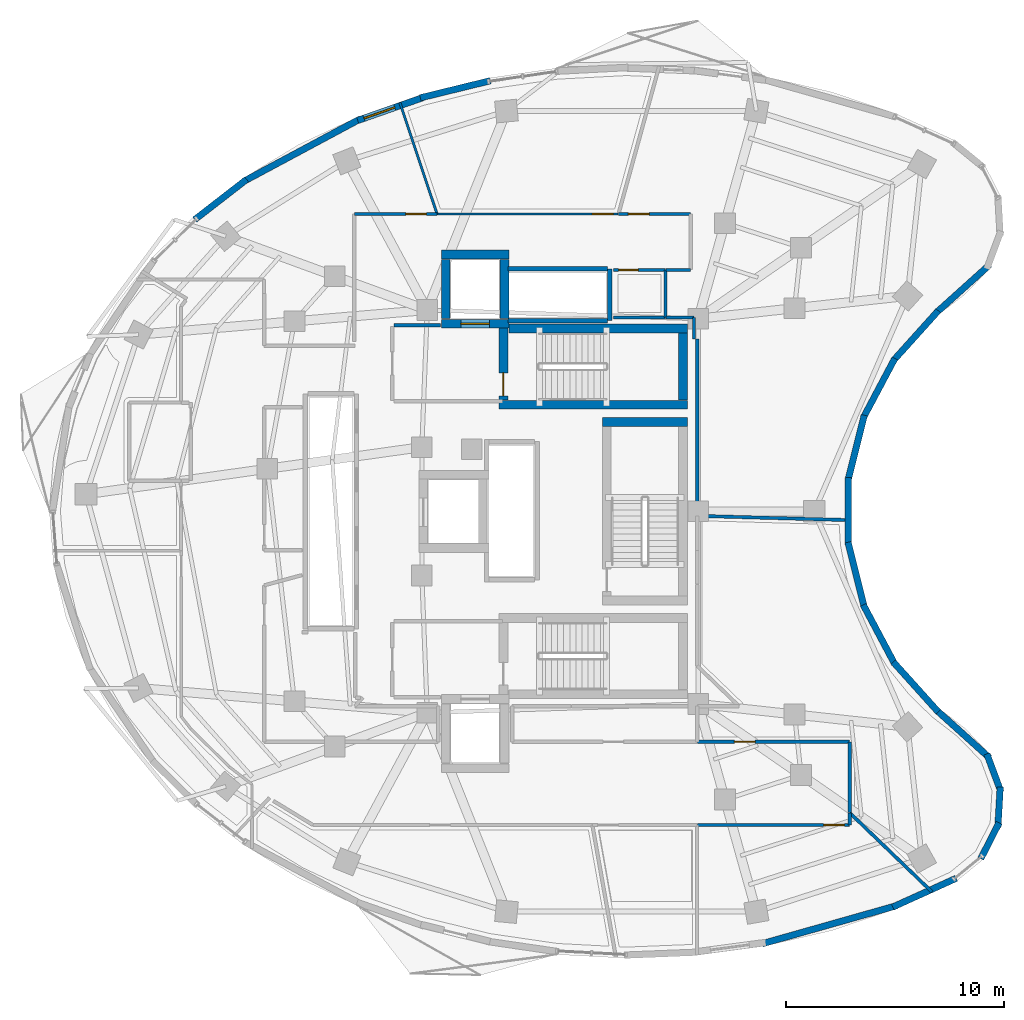
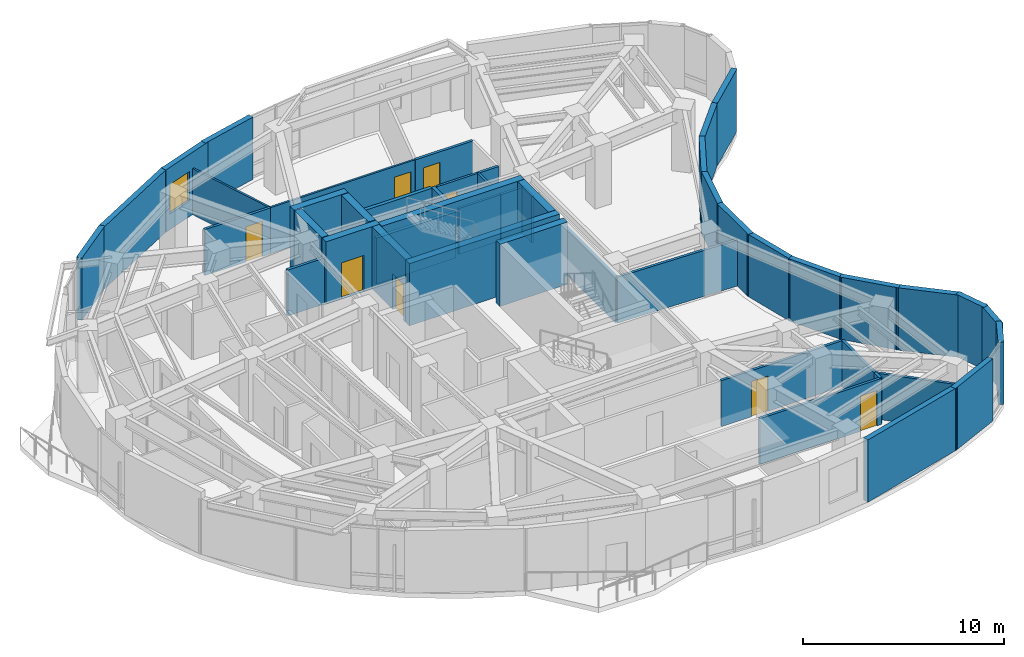
# One storey, part 9 of 13: 48 walls, 8 doors, 1 window, 9 openings.
"""IFC4 building model written with IfcOpenShell, lengths in metres."""

from ifc_helpers import new_model, si_unit, direction, frame, frame_2d, origin, place, context, subcontext, project, spatial, rectangle, extrude, material, layer, layer_set, type_object, element, fill, save


model = new_model("IFC4")

# Units and contexts
model_context = context("Model", 3, precision=1e-05, world=origin(), true_north=direction((0.0, 1.0)))
body_context = subcontext(model_context, "Body", "Model", "MODEL_VIEW")
ifc_project = project(units=[si_unit("LENGTHUNIT", "METRE"), si_unit("AREAUNIT", "SQUARE_METRE"), si_unit("VOLUMEUNIT", "CUBIC_METRE"), si_unit("PLANEANGLEUNIT", "RADIAN"), si_unit("MASSUNIT", "GRAM", prefix="KILO")], contexts=[model_context])

# Site, building, storey
site_placement = place(None, origin())
site = spatial("IfcSite", under=ifc_project, at=site_placement, CompositionType="ELEMENT")
building_placement = place(site_placement, origin())
building = spatial("IfcBuilding", under=site, at=building_placement, Name="Korentha Bioscience Tower", CompositionType="ELEMENT")
storey_placement = place(building_placement, frame((0.0, 0.0, 162.60009765625)))
storey = spatial("IfcBuildingStorey", under=building, at=storey_placement, Name="L37", CompositionType="ELEMENT", Elevation=162.60009765625)

# Wall, opening, door
ifc_material_1 = material(Name="Double-Stud Acoustic Gypsum", Category="gypsum")
ifc_layer_1 = layer(ifc_material_1, 0.14990234375, Name="Double-Stud Acoustic Gypsum")
ifc_layer_set_1 = layer_set([ifc_layer_1], Name="Double-Stud Acoustic Gypsum (IW-L150)")
wall_type_1 = type_object("IfcWallType", Name="Acoustic Laboratory Partition Wall 150", PredefinedType="PARTITIONING", material=ifc_layer_set_1)
wall_1_placement = place(storey_placement, frame((37.508056640625, 12.590087890625, 0.0), z_axis=(0.0, 0.0, 1.0), x_axis=(1.0, 0.0, 0.0)))
wall_1 = element("IfcWall", 1, at=wall_1_placement, inside=storey, type_object=wall_type_1, Name="L37 Fluorescence Confocal Microscopy Room 06 Entrance Wall", PredefinedType="PARTITIONING", context=body_context, shape_type="SweptSolid", body=[
    extrude(rectangle(XDim=6.991943359375, YDim=0.14990234375, at=frame_2d((3.49609375, 0.0))), origin(), (0.0, 0.0, 1.0), 2.7998046875),
])
opening_1_placement = place(wall_1_placement, frame((5.802001953125, 0.0, 0.0)))
opening_1 = element("IfcOpeningElement", 2, at=opening_1_placement, cuts=wall_1, Name="Opening ID-10L", PredefinedType="OPENING", context=body_context, shape_type="SweptSolid", body=[
    extrude(rectangle(XDim=0.949951171875, YDim=2.14990234375, at=frame_2d((0.47509765625, 1.074951171875))), frame((0.0, 0.08984375, 0.0), z_axis=(0.0, -1.0, 0.0), x_axis=(1.0, 0.0, 0.0)), (0.0, 0.0, 1.0), 0.1796875),
])
ifc_material_2 = material(Name="Phenolic Laminate Timber Core", Category="wood")
door_type_1 = type_object("IfcDoorType", Name="Laboratory Single Leaf Door 950x2150 Left", OperationType="SINGLE_SWING_LEFT", PredefinedType="DOOR", material=ifc_material_2)
door_1_placement = place(opening_1_placement, origin())
door_1 = element("IfcDoor", 3, at=door_1_placement, inside=storey, type_object=door_type_1, Name="L37 Fluorescence Confocal Microscopy Room 06 Door", OperationType="SINGLE_SWING_LEFT", OverallHeight=2.14990234375, OverallWidth=0.949951171875, PredefinedType="DOOR", context=body_context, shape_type="SweptSolid", body=[
    extrude(rectangle(XDim=0.949951171875, YDim=2.14990234375, at=frame_2d((0.47509765625, 1.074951171875))), frame((0.0, 0.02490234375, 0.0), z_axis=(0.0, -1.0, 0.0), x_axis=(1.0, 0.0, 0.0)), (0.0, 0.0, 1.0), 0.050048828125),
])
fill(opening_1, door_1)

wall_2_placement = place(storey_placement, frame((44.5, 16.409912109375, 0.0), z_axis=(0.0, 0.0, 1.0), x_axis=(-1.0, 0.0, 0.0)))
wall_2 = element("IfcWall", 4, at=wall_2_placement, inside=storey, type_object=wall_type_1, Name="L37 Incubator and Bioreactor Suite 07 Entrance Wall", PredefinedType="PARTITIONING", context=body_context, shape_type="SweptSolid", body=[
    extrude(rectangle(XDim=6.991943359375, YDim=0.14990234375, at=frame_2d((3.49609375, 0.0))), origin(), (0.0, 0.0, 1.0), 2.7998046875),
])
opening_2_placement = place(wall_2_placement, frame((4.334228515625, 0.0, 0.0)))
opening_2 = element("IfcOpeningElement", 5, at=opening_2_placement, cuts=wall_2, Name="Opening ID-10R", PredefinedType="OPENING", context=body_context, shape_type="SweptSolid", body=[
    extrude(rectangle(XDim=0.949951171875, YDim=2.14990234375, at=frame_2d((0.47509765625, 1.074951171875))), frame((0.0, 0.08984375, 0.0), z_axis=(0.0, -1.0, 0.0), x_axis=(1.0, 0.0, 0.0)), (0.0, 0.0, 1.0), 0.1796875),
])
door_type_2 = type_object("IfcDoorType", Name="Laboratory Single Leaf Door 950x2150 Right", OperationType="SINGLE_SWING_RIGHT", PredefinedType="DOOR", material=ifc_material_2)
door_2_placement = place(opening_2_placement, origin())
door_2 = element("IfcDoor", 6, at=door_2_placement, inside=storey, type_object=door_type_2, Name="L37 Incubator and Bioreactor Suite 07 Door", OperationType="SINGLE_SWING_RIGHT", OverallHeight=2.14990234375, OverallWidth=0.949951171875, PredefinedType="DOOR", context=body_context, shape_type="SweptSolid", body=[
    extrude(rectangle(XDim=0.949951171875, YDim=2.14990234375, at=frame_2d((0.47509765625, 1.074951171875))), frame((0.0, 0.02490234375, 0.0), z_axis=(0.0, -1.0, 0.0), x_axis=(1.0, 0.0, 0.0)), (0.0, 0.0, 1.0), 0.050048828125),
])
fill(opening_2, door_2)

wall_3_placement = place(storey_placement, frame((37.199951171875, 40.659912109375, 0.0), z_axis=(0.0, 0.0, 1.0), x_axis=(-1.0, 0.0, 0.0)))
wall_3 = element("IfcWall", 7, at=wall_3_placement, inside=storey, type_object=wall_type_1, Name="L37 Translational Medicine Team Office 08 Entrance Wall", PredefinedType="PARTITIONING", context=body_context, shape_type="SweptSolid", body=[
    extrude(rectangle(XDim=3.31494140625, YDim=0.14990234375, at=frame_2d((1.657470703125, 0.0))), origin(), (0.0, 0.0, 1.0), 2.7998046875),
])
opening_3_placement = place(wall_3_placement, frame((1.906982421875, 0.0, 0.0)))
opening_3 = element("IfcOpeningElement", 8, at=opening_3_placement, cuts=wall_3, Name="Opening ID-10L", PredefinedType="OPENING", context=body_context, shape_type="SweptSolid", body=[
    extrude(rectangle(XDim=0.949951171875, YDim=2.14990234375, at=frame_2d((0.47509765625, 1.074951171875))), frame((0.0, 0.08984375, 0.0), z_axis=(0.0, -1.0, 0.0), x_axis=(1.0, 0.0, 0.0)), (0.0, 0.0, 1.0), 0.1796875),
])
door_3_placement = place(opening_3_placement, origin())
door_3 = element("IfcDoor", 9, at=door_3_placement, inside=storey, type_object=door_type_1, Name="L37 Translational Medicine Team Office 08 Door", OperationType="SINGLE_SWING_LEFT", OverallHeight=2.14990234375, OverallWidth=0.949951171875, PredefinedType="DOOR", context=body_context, shape_type="SweptSolid", body=[
    extrude(rectangle(XDim=0.949951171875, YDim=2.14990234375, at=frame_2d((0.47509765625, 1.074951171875))), frame((0.0, 0.02490234375, 0.0), z_axis=(0.0, -1.0, 0.0), x_axis=(1.0, 0.0, 0.0)), (0.0, 0.0, 1.0), 0.050048828125),
])
fill(opening_3, door_3)

wall_4_placement = place(storey_placement, frame((25.54150390625, 40.659912109375, 0.0), z_axis=(0.0, 0.0, 1.0), x_axis=(-1.0, 0.0, 0.0)))
wall_4 = element("IfcWall", 10, at=wall_4_placement, inside=storey, type_object=wall_type_1, Name="L37 Clinical Advisory Boardroom 10 Entrance Wall", PredefinedType="PARTITIONING", context=body_context, shape_type="SweptSolid", body=[
    extrude(rectangle(XDim=3.79150390625, YDim=0.14990234375, at=frame_2d((1.895751953125, 0.0))), origin(), (0.0, 0.0, 1.0), 2.7998046875),
])
opening_4_placement = place(wall_4_placement, frame((0.477783203125, 0.0, 0.0)))
opening_4 = element("IfcOpeningElement", 11, at=opening_4_placement, cuts=wall_4, Name="Opening ID-10L", PredefinedType="OPENING", context=body_context, shape_type="SweptSolid", body=[
    extrude(rectangle(XDim=0.949951171875, YDim=2.14990234375, at=frame_2d((0.47509765625, 1.074951171875))), frame((0.0, 0.08984375, 0.0), z_axis=(0.0, -1.0, 0.0), x_axis=(1.0, 0.0, 0.0)), (0.0, 0.0, 1.0), 0.1796875),
])
door_4_placement = place(opening_4_placement, origin())
door_4 = element("IfcDoor", 12, at=door_4_placement, inside=storey, type_object=door_type_1, Name="L37 Clinical Advisory Boardroom 10 Door", OperationType="SINGLE_SWING_LEFT", OverallHeight=2.14990234375, OverallWidth=0.949951171875, PredefinedType="DOOR", context=body_context, shape_type="SweptSolid", body=[
    extrude(rectangle(XDim=0.949951171875, YDim=2.14990234375, at=frame_2d((0.47509765625, 1.074951171875))), frame((0.0, 0.02490234375, 0.0), z_axis=(0.0, -1.0, 0.0), x_axis=(1.0, 0.0, 0.0)), (0.0, 0.0, 1.0), 0.050048828125),
])
fill(opening_4, door_4)

# Walls
wall_5_placement = place(storey_placement, frame((44.510009765625, 12.60009765625, 0.0), z_axis=(0.0, 0.0, 1.0), x_axis=(0.0, 1.0, 0.0)))
element("IfcWall", 13, at=wall_5_placement, inside=storey, type_object=wall_type_1, Name="L37 Interior Partition 045", PredefinedType="PARTITIONING", context=body_context, shape_type="SweptSolid", body=[
    extrude(rectangle(XDim=0.5498046875, YDim=0.14990234375, at=frame_2d((0.27490234375, 0.0))), origin(), (0.0, 0.0, 1.0), 2.7998046875),
])
wall_6_placement = place(storey_placement, frame((44.510009765625, 13.14990234375, 0.0), z_axis=(0.0, 0.0, 1.0), x_axis=(0.720549773239, -0.69340321912, 0.0)))
element("IfcWall", 14, at=wall_6_placement, inside=storey, type_object=wall_type_1, Name="L37 Interior Partition 046", PredefinedType="PARTITIONING", context=body_context, shape_type="SweptSolid", body=[
    extrude(rectangle(XDim=5.234130859375, YDim=0.14990234375, at=frame_2d((2.6171875, 0.0))), origin(), (0.0, 0.0, 1.0), 2.7998046875),
])
wall_7_placement = place(storey_placement, frame((37.502197265625, 26.791748046875, 0.0), z_axis=(0.0, 0.0, 1.0), x_axis=(0.999610026888, -0.027924794459, 0.0)))
element("IfcWall", 15, at=wall_7_placement, inside=storey, type_object=wall_type_1, Name="L37 Interior Partition 047", PredefinedType="PARTITIONING", context=body_context, shape_type="SweptSolid", body=[
    extrude(rectangle(XDim=7.0029296875, YDim=0.14990234375, at=frame_2d((3.50146484375, 0.0))), origin(), (0.0, 0.0, 1.0), 2.7998046875),
])
wall_8_placement = place(storey_placement, frame((44.510009765625, 13.159912109375, 0.0), z_axis=(0.0, 0.0, 1.0), x_axis=(0.0, 1.0, 0.0)))
element("IfcWall", 16, at=wall_8_placement, inside=storey, type_object=wall_type_1, Name="L37 Interior Partition 048", PredefinedType="PARTITIONING", context=body_context, shape_type="SweptSolid", body=[
    extrude(rectangle(XDim=3.239990234375, YDim=0.14990234375, at=frame_2d((1.6201171875, 0.0))), origin(), (0.0, 0.0, 1.0), 2.7998046875),
])
wall_9_placement = place(storey_placement, frame((37.501953125, 26.8017578125, 0.0), z_axis=(0.0, 0.0, 1.0), x_axis=(0.0, 1.0, 0.0)))
element("IfcWall", 17, at=wall_9_placement, inside=storey, type_object=wall_type_1, Name="L37 Interior Partition 054", PredefinedType="PARTITIONING", context=body_context, shape_type="SweptSolid", body=[
    extrude(rectangle(XDim=8.106689453125, YDim=0.14990234375, at=frame_2d((4.05322265625, 0.0))), origin(), (0.0, 0.0, 1.0), 2.7998046875),
])
wall_10_placement = place(storey_placement, frame((37.360107421875, 34.908447265625, 0.0), z_axis=(0.0, 0.0, 1.0), x_axis=(0.0, 1.0, 0.0)))
element("IfcWall", 18, at=wall_10_placement, inside=storey, type_object=wall_type_1, Name="L37 Interior Partition 055", PredefinedType="PARTITIONING", context=body_context, shape_type="SweptSolid", body=[
    extrude(rectangle(XDim=0.991455078125, YDim=0.14990234375, at=frame_2d((0.49560546875, 0.0))), origin(), (0.0, 0.0, 1.0), 2.7998046875),
])
wall_11_placement = place(storey_placement, frame((37.35009765625, 35.909912109375, 0.0), z_axis=(0.0, 0.0, 1.0), x_axis=(-1.0, 0.0, 0.0)))
element("IfcWall", 19, at=wall_11_placement, inside=storey, type_object=wall_type_1, Name="L37 Interior Partition 056", PredefinedType="PARTITIONING", context=body_context, shape_type="SweptSolid", body=[
    extrude(rectangle(XDim=1.2900390625, YDim=0.14990234375, at=frame_2d((0.64501953125, 0.0))), origin(), (0.0, 0.0, 1.0), 2.7998046875),
])
wall_12_placement = place(storey_placement, frame((36.06005859375, 38.090087890625, 0.0), z_axis=(0.0, 0.0, 1.0), x_axis=(1.0, 0.0, 0.0)))
element("IfcWall", 20, at=wall_12_placement, inside=storey, type_object=wall_type_1, Name="L37 Interior Partition 057", PredefinedType="PARTITIONING", context=body_context, shape_type="SweptSolid", body=[
    extrude(rectangle(XDim=1.139892578125, YDim=0.14990234375, at=frame_2d((0.56982421875, 0.0))), origin(), (0.0, 0.0, 1.0), 2.7998046875),
])

# Wall, opening, door
ifc_material_3 = material(Name="Fire-Rated Framed Glass", Category="glass")
ifc_layer_2 = layer(ifc_material_3, 0.110107421875, Name="Fire-Rated Framed Glass")
ifc_layer_set_2 = layer_set([ifc_layer_2], Name="Fire-Rated Framed Glass (IW-G110)")
wall_type_2 = type_object("IfcWallType", Name="Demountable Glazed Office Partition 110", PredefinedType="MOVABLE", material=ifc_layer_set_2)
wall_13_placement = place(storey_placement, frame((33.875, 40.659912109375, 0.0), z_axis=(0.0, 0.0, 1.0), x_axis=(-1.0, 0.0, 0.0)))
wall_13 = element("IfcWall", 21, at=wall_13_placement, inside=storey, type_object=wall_type_2, Name="L37 Biostatistics Research Office 09 Entrance Wall", PredefinedType="MOVABLE", context=body_context, shape_type="SweptSolid", body=[
    extrude(rectangle(XDim=8.322998046875, YDim=0.110107421875, at=frame_2d((4.16162109375, 0.0))), origin(), (0.0, 0.0, 1.0), 2.7998046875),
])
opening_5_placement = place(wall_13_placement, frame((0.239990234375, 0.0, 0.0)))
opening_5 = element("IfcOpeningElement", 22, at=opening_5_placement, cuts=wall_13, Name="Opening ID-10R", PredefinedType="OPENING", context=body_context, shape_type="SweptSolid", body=[
    extrude(rectangle(XDim=0.949951171875, YDim=2.14990234375, at=frame_2d((0.47509765625, 1.074951171875))), frame((0.0, 0.06982421875, 0.0), z_axis=(0.0, -1.0, 0.0), x_axis=(1.0, 0.0, 0.0)), (0.0, 0.0, 1.0), 0.139892578125),
])
door_5_placement = place(opening_5_placement, origin())
door_5 = element("IfcDoor", 23, at=door_5_placement, inside=storey, type_object=door_type_2, Name="L37 Biostatistics Research Office 09 Door", OperationType="SINGLE_SWING_RIGHT", OverallHeight=2.14990234375, OverallWidth=0.949951171875, PredefinedType="DOOR", context=body_context, shape_type="SweptSolid", body=[
    extrude(rectangle(XDim=0.949951171875, YDim=2.14990234375, at=frame_2d((0.47509765625, 1.074951171875))), frame((0.0, 0.02490234375, 0.0), z_axis=(0.0, -1.0, 0.0), x_axis=(1.0, 0.0, 0.0)), (0.0, 0.0, 1.0), 0.050048828125),
])
fill(opening_5, door_5)

# Walls
wall_14_placement = place(storey_placement, frame((25.552001953125, 40.659912109375, 0.0), z_axis=(0.0, 0.0, 1.0), x_axis=(-0.317298174949, 0.948325823847, 0.0)))
element("IfcWall", 24, at=wall_14_placement, inside=storey, type_object=wall_type_2, Name="L37 Interior Partition 060", PredefinedType="MOVABLE", context=body_context, shape_type="SweptSolid", body=[
    extrude(rectangle(XDim=5.404541015625, YDim=0.110107421875, at=frame_2d((2.7021484375, 0.0))), origin(), (0.0, 0.0, 1.0), 2.7998046875),
])
ifc_material_4 = material(Name="Gypsum-Clad Steel Stud", Category="steel")
ifc_layer_3 = layer(ifc_material_4, 0.159912109375, Name="Gypsum-Clad Steel Stud")
ifc_layer_set_3 = layer_set([ifc_layer_3], Name="Gypsum-Clad Steel Stud (IW-C160)")
wall_type_3 = type_object("IfcWallType", Name="Fire-Rated Corridor Partition Wall 160", PredefinedType="PARTITIONING", material=ifc_layer_set_3)
wall_15_placement = place(storey_placement, frame((23.580078125, 35.550048828125, 0.0), z_axis=(0.0, 0.0, 1.0), x_axis=(1.0, 0.0, 0.0)))
element("IfcWall", 25, at=wall_15_placement, inside=storey, type_object=wall_type_3, Name="L37 Firefighting Lobby Return Wall FFLN-N", PredefinedType="PARTITIONING", context=body_context, shape_type="SweptSolid", body=[
    extrude(rectangle(XDim=2.119873046875, YDim=0.159912109375, at=frame_2d((1.06005859375, 0.0))), origin(), (0.0, 0.0, 1.0), 2.7998046875),
])

# Wall, opening, window
ifc_material_5 = material(Name="Honed Limestone Precast Concrete C40", Category="masonry")
ifc_layer_4 = layer(ifc_material_5, 0.300048828125, Name="Honed Limestone Precast Concrete C40")
ifc_layer_set_4 = layer_set([ifc_layer_4], Name="Honed Limestone Precast Concrete C40 (EW-ST300)")
wall_type_4 = type_object("IfcWallType", Name="Honed Limestone Cavity Spandrel Wall 300", PredefinedType="STANDARD", material=ifc_layer_set_4)
wall_16_placement = place(storey_placement, frame((24.9365234375, 46.02294921875, 0.0), z_axis=(0.0, 0.0, 1.0), x_axis=(-0.943495444321, -0.331385495377, 0.0)))
wall_16 = element("IfcWall", 26, at=wall_16_placement, inside=storey, type_object=wall_type_4, Name="L37 Honed Limestone Spandrel Wall 09", PredefinedType="STANDARD", context=body_context, shape_type="SweptSolid", body=[
    extrude(rectangle(XDim=3.21435546875, YDim=0.300048828125, at=frame_2d((1.607177734375, 0.0))), origin(), (0.0, 0.0, 1.0), 3.789794921875),
])
opening_6_placement = place(wall_16_placement, frame((1.40966796875, 0.0, 0.949951171875)))
opening_6 = element("IfcOpeningElement", 27, at=opening_6_placement, cuts=wall_16, Name="Opening WN-02", PredefinedType="OPENING", context=body_context, shape_type="SweptSolid", body=[
    extrude(rectangle(XDim=1.5, YDim=1.800048828125, at=frame_2d((0.75, 0.89990234375))), frame((0.0, 0.1650390625, 0.0), z_axis=(0.0, -1.0, 0.0), x_axis=(1.0, 0.0, 0.0)), (0.0, 0.0, 1.0), 0.329833984375),
])
ifc_material_6 = material(Name="Thermally Broken Aluminium Triple Glazing", Category="aluminium")
window_type = type_object("IfcWindowType", Name="Acoustic Operable Office Window 1500x1800", PartitioningType="DOUBLE_PANEL_VERTICAL", PredefinedType="WINDOW", material=ifc_material_6)
window_placement = place(opening_6_placement, origin())
window = element("IfcWindow", 28, at=window_placement, inside=storey, type_object=window_type, Name="L37 Facade Window 09", OverallHeight=1.800048828125, OverallWidth=1.5, PartitioningType="DOUBLE_PANEL_VERTICAL", PredefinedType="WINDOW", context=body_context, shape_type="SweptSolid", body=[
    extrude(rectangle(XDim=1.5, YDim=1.800048828125, at=frame_2d((0.75, 0.89990234375))), frame((0.0, 0.030029296875, 0.0), z_axis=(0.0, -1.0, 0.0), x_axis=(1.0, 0.0, 0.0)), (0.0, 0.0, 1.0), 0.06005859375),
])
fill(opening_6, window)

# Walls
wall_17_placement = place(storey_placement, frame((27.996337890625, 46.78564453125, 0.0), z_axis=(0.0, 0.0, 1.0), x_axis=(-0.971328615467, -0.237740868963, 0.0)))
element("IfcWall", 29, at=wall_17_placement, inside=storey, type_object=wall_type_4, Name="L37 Limestone Perimeter Closure Wall 08", PredefinedType="STANDARD", context=body_context, shape_type="SweptSolid", body=[
    extrude(rectangle(XDim=3.308837890625, YDim=0.300048828125, at=frame_2d((1.654296875, 0.0))), origin(), (0.0, 0.0, 1.0), 3.789794921875),
])
wall_18_placement = place(storey_placement, frame((22.044189453125, 45.043212890625, 0.0), z_axis=(0.0, 0.0, 1.0), x_axis=(-0.881364369565, -0.472437136624, 0.0)))
element("IfcWall", 30, at=wall_18_placement, inside=storey, type_object=wall_type_4, Name="L37 Limestone Perimeter Closure Wall 10", PredefinedType="STANDARD", context=body_context, shape_type="SweptSolid", body=[
    extrude(rectangle(XDim=6.123779296875, YDim=0.300048828125, at=frame_2d((3.06201171875, 0.0))), origin(), (0.0, 0.0, 1.0), 3.789794921875),
])
wall_19_placement = place(storey_placement, frame((16.80029296875, 42.249755859375, 0.0), z_axis=(0.0, 0.0, 1.0), x_axis=(-0.790530517055, -0.612422649488, 0.0)))
element("IfcWall", 31, at=wall_19_placement, inside=storey, type_object=wall_type_4, Name="L37 Limestone Perimeter Closure Wall 12", PredefinedType="STANDARD", context=body_context, shape_type="SweptSolid", body=[
    extrude(rectangle(XDim=3.019775390625, YDim=0.300048828125, at=frame_2d((1.509765625, 0.0))), origin(), (0.0, 0.0, 1.0), 3.789794921875),
])
wall_20_placement = place(storey_placement, frame((40.4931640625, 7.13427734375, 0.0), z_axis=(0.0, 0.0, 1.0), x_axis=(0.962163849422, 0.272471515694, 0.0)))
element("IfcWall", 32, at=wall_20_placement, inside=storey, type_object=wall_type_4, Name="L37 Limestone Perimeter Closure Wall 34", PredefinedType="STANDARD", context=body_context, shape_type="SweptSolid", body=[
    extrude(rectangle(XDim=6.4091796875, YDim=0.300048828125, at=frame_2d((3.20458984375, 0.0))), origin(), (0.0, 0.0, 1.0), 3.789794921875),
])
wall_21_placement = place(storey_placement, frame((46.490478515625, 8.818359375, 0.0), z_axis=(0.0, 0.0, 1.0), x_axis=(0.910633193525, 0.413215666268, 0.0)))
element("IfcWall", 33, at=wall_21_placement, inside=storey, type_object=wall_type_4, Name="L37 Limestone Perimeter Closure Wall 36", PredefinedType="STANDARD", context=body_context, shape_type="SweptSolid", body=[
    extrude(rectangle(XDim=3.1953125, YDim=0.300048828125, at=frame_2d((1.59765625, 0.0))), origin(), (0.0, 0.0, 1.0), 3.789794921875),
])
for number, where, z_axis, x_axis, name in (
    (34, (50.533935546875, 11.041259765625, 0.0), (0.0, 0.0, 1.0), (0.454214122486, 0.890892547356, 0.0), "L37 Limestone Perimeter Closure Wall 38"),
    (35, (51.319091796875, 12.484375, 0.0), (0.0, 0.0, 1.0), (0.057485341891, 0.998346350455, 0.0), "L37 Limestone Perimeter Closure Wall 39"),
    (36, (51.45751953125, 14.121337890625, 0.0), (0.0, 0.0, 1.0), (-0.348984166898, 0.937128620443, 0.0), "L37 Limestone Perimeter Closure Wall 40"),
):
    element("IfcWall", number, at=place(storey_placement, frame(where, z_axis=z_axis, x_axis=x_axis)), inside=storey, type_object=wall_type_4, Name=name, PredefinedType="STANDARD", context=body_context, shape_type="SweptSolid", body=[
        extrude(rectangle(XDim=1.851806640625, YDim=0.300048828125, at=frame_2d((0.92578125, 0.0))), origin(), (0.0, 0.0, 1.0), 3.789794921875),
    ])
wall_22_placement = place(storey_placement, frame((50.936279296875, 15.6728515625, 0.0), z_axis=(0.0, 0.0, 1.0), x_axis=(-0.743341827472, 0.668911748687, 0.0)))
element("IfcWall", 37, at=wall_22_placement, inside=storey, type_object=wall_type_4, Name="L37 Limestone Perimeter Closure Wall 41", PredefinedType="STANDARD", context=body_context, shape_type="SweptSolid", body=[
    extrude(rectangle(XDim=3.3095703125, YDim=0.300048828125, at=frame_2d((1.65478515625, 0.0))), origin(), (0.0, 0.0, 1.0), 3.789794921875),
])
for number, where, z_axis, x_axis, name in (
    (38, (48.57861328125, 17.7841796875, 0.0), (0.0, 0.0, 1.0), (-0.669165704933, 0.743113221079, 0.0), "L37 Limestone Perimeter Closure Wall 43"),
    (39, (46.58447265625, 19.975830078125, 0.0), (0.0, 0.0, 1.0), (-0.469471310295, 0.882947727111, 0.0), "L37 Limestone Perimeter Closure Wall 45"),
    (40, (45.179931640625, 22.585205078125, 0.0), (0.0, 0.0, 1.0), (-0.241940068914, 0.970291194979, 0.0), "L37 Limestone Perimeter Closure Wall 47"),
    (41, (44.448486328125, 25.45654296875, 0.0), (0.0, 0.0, 1.0), (0.0, 1.0, 0.0), "L37 Limestone Perimeter Closure Wall 49"),
    (42, (44.43310546875, 28.419677734375, 0.0), (0.0, 0.0, 1.0), (0.241940068914, 0.970291194979, 0.0), "L37 Limestone Perimeter Closure Wall 51"),
    (43, (45.13525390625, 31.298583984375, 0.0), (0.0, 0.0, 1.0), (0.469471310295, 0.882947727111, 0.0), "L37 Limestone Perimeter Closure Wall 53"),
    (44, (46.512939453125, 33.921875, 0.0), (0.0, 0.0, 1.0), (0.669165704933, 0.743113221079, 0.0), "L37 Limestone Perimeter Closure Wall 55"),
):
    element("IfcWall", number, at=place(storey_placement, frame(where, z_axis=z_axis, x_axis=x_axis)), inside=storey, type_object=wall_type_4, Name=name, PredefinedType="STANDARD", context=body_context, shape_type="SweptSolid", body=[
        extrude(rectangle(XDim=3.0869140625, YDim=0.300048828125, at=frame_2d((1.54345703125, 0.0))), origin(), (0.0, 0.0, 1.0), 3.789794921875),
    ])
wall_23_placement = place(storey_placement, frame((48.47607421875, 36.11328125, 0.0), z_axis=(0.0, 0.0, 1.0), x_axis=(0.743341827472, 0.668911748687, 0.0)))
element("IfcWall", 45, at=wall_23_placement, inside=storey, type_object=wall_type_4, Name="L37 Limestone Perimeter Closure Wall 57", PredefinedType="STANDARD", context=body_context, shape_type="SweptSolid", body=[
    extrude(rectangle(XDim=3.3095703125, YDim=0.300048828125, at=frame_2d((1.65478515625, 0.0))), origin(), (0.0, 0.0, 1.0), 3.789794921875),
])
ifc_material_7 = material(Name="Autoclaved Aerated Concrete Block C25", Category="concrete")
ifc_layer_5 = layer(ifc_material_7, 0.199951171875, Name="Autoclaved Aerated Concrete Block C25")
ifc_layer_set_5 = layer_set([ifc_layer_5], Name="Autoclaved Aerated Concrete Block C25 (IW-S200)")
wall_type_5 = type_object("IfcWallType", Name="Lift and Riser Shaft Enclosure Wall 200", PredefinedType="PARTITIONING", material=ifc_layer_set_5)
wall_24_placement = place(storey_placement, frame((33.489990234375, 35.760009765625, 0.0), z_axis=(0.0, 0.0, 1.0), x_axis=(0.0, 1.0, 0.0)))
element("IfcWall", 46, at=wall_24_placement, inside=storey, type_object=wall_type_5, Name="L37 Lift Bank OBS Shaft Wall +X", PredefinedType="PARTITIONING", context=body_context, shape_type="SweptSolid", body=[
    extrude(rectangle(XDim=2.3798828125, YDim=0.199951171875, at=frame_2d((1.18994140625, 0.0))), origin(), (0.0, 0.0, 1.0), 2.7998046875),
])
for number, where, z_axis, x_axis, name in (
    (47, (28.800048828125, 35.760009765625, 0.0), (0.0, 0.0, 1.0), (1.0, 0.0, 0.0), "L37 Lift Bank OBS Shaft Wall -Y"),
    (48, (28.800048828125, 38.139892578125, 0.0), (0.0, 0.0, 1.0), (1.0, 0.0, 0.0), "L37 Lift Bank OBS Shaft Wall +Y"),
):
    element("IfcWall", number, at=place(storey_placement, frame(where, z_axis=z_axis, x_axis=x_axis)), inside=storey, type_object=wall_type_5, Name=name, PredefinedType="PARTITIONING", context=body_context, shape_type="SweptSolid", body=[
        extrude(rectangle(XDim=4.570068359375, YDim=0.199951171875, at=frame_2d((2.28515625, 0.0))), origin(), (0.0, 0.0, 1.0), 2.7998046875),
    ])
ifc_material_8 = material(Name="Concrete C65", Category="concrete")
ifc_layer_6 = layer(ifc_material_8, 0.39990234375, Name="Concrete C65")
ifc_layer_set_6 = layer_set([ifc_layer_6], Name="Concrete C65 (CW-C65)")
wall_type_6 = type_object("IfcWallType", Name="Mid-Rise Core Shear Wall 400", PredefinedType="SHEAR", material=ifc_layer_set_6)
wall_25_placement = place(storey_placement, frame((28.85205078125, 35.39990234375, 0.0), z_axis=(0.0, 0.0, 1.0), x_axis=(1.0, 0.0, 0.0)))
element("IfcWall", 49, at=wall_25_placement, inside=storey, type_object=wall_type_6, Name="L37 Core Shear Wall ST1-N", PredefinedType="SHEAR", context=body_context, shape_type="SweptSolid", body=[
    extrude(rectangle(XDim=8.197998046875, YDim=0.39990234375, at=frame_2d((4.09912109375, 0.0))), origin(), (0.0, 0.0, 1.0), 3.789794921875),
])
wall_26_placement = place(storey_placement, frame((28.39990234375, 31.89990234375, 0.0), z_axis=(0.0, 0.0, 1.0), x_axis=(1.0, 0.0, 0.0)))
element("IfcWall", 50, at=wall_26_placement, inside=storey, type_object=wall_type_6, Name="L37 Core Shear Wall ST1-S", PredefinedType="SHEAR", context=body_context, shape_type="SweptSolid", body=[
    extrude(rectangle(XDim=8.650146484375, YDim=0.39990234375, at=frame_2d((4.3251953125, 0.0))), origin(), (0.0, 0.0, 1.0), 3.789794921875),
])
wall_27_placement = place(storey_placement, frame((36.85009765625, 32.110107421875, 0.0), z_axis=(0.0, 0.0, 1.0), x_axis=(0.0, 1.0, 0.0)))
element("IfcWall", 51, at=wall_27_placement, inside=storey, type_object=wall_type_6, Name="L37 Core Shear Wall ST1-E", PredefinedType="SHEAR", context=body_context, shape_type="SweptSolid", body=[
    extrude(rectangle(XDim=3.079833984375, YDim=0.39990234375, at=frame_2d((1.5400390625, 0.0))), origin(), (0.0, 0.0, 1.0), 3.789794921875),
])

# Wall, opening, door
wall_28_placement = place(storey_placement, frame((28.60009765625, 32.110107421875, 0.0), z_axis=(0.0, 0.0, 1.0), x_axis=(0.0, 1.0, 0.0)))
wall_28 = element("IfcWall", 52, at=wall_28_placement, inside=storey, type_object=wall_type_6, Name="L37 Core Shear Wall ST1-W", PredefinedType="SHEAR", context=body_context, shape_type="SweptSolid", body=[
    extrude(rectangle(XDim=3.307861328125, YDim=0.39990234375, at=frame_2d((1.65380859375, 0.0))), origin(), (0.0, 0.0, 1.0), 3.789794921875),
])
opening_7_placement = place(wall_28_placement, frame((0.199951171875, 0.0, 0.0)))
opening_7 = element("IfcOpeningElement", 53, at=opening_7_placement, cuts=wall_28, Name="Opening FD-90R", PredefinedType="OPENING", context=body_context, shape_type="SweptSolid", body=[
    extrude(rectangle(XDim=1.050048828125, YDim=2.14990234375, at=frame_2d((0.52490234375, 1.074951171875))), frame((0.0, 0.21484375, 0.0), z_axis=(0.0, -1.0, 0.0), x_axis=(1.0, 0.0, 0.0)), (0.0, 0.0, 1.0), 0.4296875),
])
ifc_material_9 = material(Name="Powder-Coated Fire-Rated Steel", Category="steel")
door_type_3 = type_object("IfcDoorType", Name="Stairwell Fire Exit Door 1050x2150 Right", OperationType="SINGLE_SWING_RIGHT", PredefinedType="DOOR", material=ifc_material_9)
door_6_placement = place(opening_7_placement, origin())
door_6 = element("IfcDoor", 54, at=door_6_placement, inside=storey, type_object=door_type_3, Name="L37 ST-1 Fire Exit Stair Door", OperationType="SINGLE_SWING_RIGHT", OverallHeight=2.14990234375, OverallWidth=1.050048828125, PredefinedType="DOOR", context=body_context, shape_type="SweptSolid", body=[
    extrude(rectangle(XDim=1.050048828125, YDim=2.14990234375, at=frame_2d((0.52490234375, 1.074951171875))), frame((0.0, 0.02490234375, 0.0), z_axis=(0.0, -1.0, 0.0), x_axis=(1.0, 0.0, 0.0)), (0.0, 0.0, 1.0), 0.050048828125),
])
fill(opening_7, door_6)

# Walls
wall_29_placement = place(storey_placement, frame((33.14990234375, 31.10009765625, 0.0), z_axis=(0.0, 0.0, 1.0), x_axis=(1.0, 0.0, 0.0)))
element("IfcWall", 55, at=wall_29_placement, inside=storey, type_object=wall_type_6, Name="L37 Core Shear Wall ST3-N", PredefinedType="SHEAR", context=body_context, shape_type="SweptSolid", body=[
    extrude(rectangle(XDim=3.900146484375, YDim=0.39990234375, at=frame_2d((1.9501953125, 0.0))), origin(), (0.0, 0.0, 1.0), 3.789794921875),
])
wall_30_placement = place(storey_placement, frame((25.75, 38.800048828125, 0.0), z_axis=(0.0, 0.0, 1.0), x_axis=(1.0, 0.0, 0.0)))
element("IfcWall", 56, at=wall_30_placement, inside=storey, type_object=wall_type_6, Name="L37 Core Shear Wall FFL2-N", PredefinedType="SHEAR", context=body_context, shape_type="SweptSolid", body=[
    extrude(rectangle(XDim=3.10009765625, YDim=0.39990234375, at=frame_2d((1.550048828125, 0.0))), origin(), (0.0, 0.0, 1.0), 3.789794921875),
])

# Wall, opening, door
wall_31_placement = place(storey_placement, frame((25.75, 35.6201171875, 0.0), z_axis=(0.0, 0.0, 1.0), x_axis=(1.0, 0.0, 0.0)))
wall_31 = element("IfcWall", 57, at=wall_31_placement, inside=storey, type_object=wall_type_6, Name="L37 Core Shear Wall FFL2-S", PredefinedType="SHEAR", context=body_context, shape_type="SweptSolid", body=[
    extrude(rectangle(XDim=3.10009765625, YDim=0.39990234375, at=frame_2d((1.550048828125, 0.0))), origin(), (0.0, 0.0, 1.0), 3.789794921875),
])
opening_8_placement = place(wall_31_placement, frame((0.89990234375, 0.0, 0.0)))
opening_8 = element("IfcOpeningElement", 58, at=opening_8_placement, cuts=wall_31, Name="Opening LD-13", PredefinedType="OPENING", context=body_context, shape_type="SweptSolid", body=[
    extrude(rectangle(XDim=1.300048828125, YDim=2.199951171875, at=frame_2d((0.64990234375, 1.10009765625))), frame((0.0, 0.21484375, 0.0), z_axis=(0.0, -1.0, 0.0), x_axis=(1.0, 0.0, 0.0)), (0.0, 0.0, 1.0), 0.4296875),
])
ifc_material_10 = material(Name="Brushed Stainless Steel 316", Category="steel")
door_type_4 = type_object("IfcDoorType", Name="Service & Firefighting Lift Landing Door 1300x2300", OperationType="DOUBLE_DOOR_SLIDING", PredefinedType="DOOR", material=ifc_material_10)
door_7_placement = place(opening_8_placement, origin())
door_7 = element("IfcDoor", 59, at=door_7_placement, inside=storey, type_object=door_type_4, Name="L37 FFL-2 Sliding Lift Landing Door", OperationType="DOUBLE_DOOR_SLIDING", OverallHeight=2.199951171875, OverallWidth=1.300048828125, PredefinedType="DOOR", context=body_context, shape_type="SweptSolid", body=[
    extrude(rectangle(XDim=1.300048828125, YDim=2.199951171875, at=frame_2d((0.64990234375, 1.10009765625))), frame((0.0, 0.02490234375, 0.0), z_axis=(0.0, -1.0, 0.0), x_axis=(1.0, 0.0, 0.0)), (0.0, 0.0, 1.0), 0.050048828125),
])
fill(opening_8, door_7)

# Walls
for number, where, z_axis, x_axis, name in (
    (60, (25.949951171875, 35.860107421875, 0.0), (0.0, 0.0, 1.0), (0.0, 1.0, 0.0), "L37 Core Shear Wall FFL2-W"),
    (61, (28.64990234375, 35.860107421875, 0.0), (0.0, 0.0, 1.0), (0.0, 1.0, 0.0), "L37 Core Shear Wall FFL2-E"),
):
    element("IfcWall", number, at=place(storey_placement, frame(where, z_axis=z_axis, x_axis=x_axis)), inside=storey, type_object=wall_type_6, Name=name, PredefinedType="SHEAR", context=body_context, shape_type="SweptSolid", body=[
        extrude(rectangle(XDim=2.699951171875, YDim=0.39990234375, at=frame_2d((1.35009765625, 0.0))), origin(), (0.0, 0.0, 1.0), 3.789794921875),
    ])

# Wall, opening, door
ifc_material_11 = material(Name="Cement-Board Steel Stud", Category="steel")
ifc_layer_7 = layer(ifc_material_11, 0.1298828125, Name="Cement-Board Steel Stud")
ifc_layer_set_7 = layer_set([ifc_layer_7], Name="Cement-Board Steel Stud (IW-W130)")
wall_type_7 = type_object("IfcWallType", Name="Wet-Area Moisture-Resistant Partition 130", PredefinedType="PARTITIONING", material=ifc_layer_set_7)
wall_32_placement = place(storey_placement, frame((33.64990234375, 38.090087890625, 0.0), z_axis=(0.0, 0.0, 1.0), x_axis=(1.0, 0.0, 0.0)))
wall_32 = element("IfcWall", 62, at=wall_32_placement, inside=storey, type_object=wall_type_7, Name="L37 Accessible Staff WC Entrance Wall", PredefinedType="PARTITIONING", context=body_context, shape_type="SweptSolid", body=[
    extrude(rectangle(XDim=2.400146484375, YDim=0.1298828125, at=frame_2d((1.2001953125, 0.0))), origin(), (0.0, 0.0, 1.0), 2.7998046875),
])
opening_9_placement = place(wall_32_placement, frame((0.239990234375, 0.0, 0.0)))
opening_9 = element("IfcOpeningElement", 63, at=opening_9_placement, cuts=wall_32, Name="Opening ID-09R", PredefinedType="OPENING", context=body_context, shape_type="SweptSolid", body=[
    extrude(rectangle(XDim=0.89990234375, YDim=2.14990234375, at=frame_2d((0.449951171875, 1.074951171875))), frame((0.0, 0.079833984375, 0.0), z_axis=(0.0, -1.0, 0.0), x_axis=(1.0, 0.0, 0.0)), (0.0, 0.0, 1.0), 0.15966796875),
])
ifc_material_12 = material(Name="Moisture-Resistant HPL Leaf", Category="wood")
door_type_5 = type_object("IfcDoorType", Name="Restroom & Accessible WC Door 900x2150 Right", OperationType="SINGLE_SWING_RIGHT", PredefinedType="DOOR", material=ifc_material_12)
door_8_placement = place(opening_9_placement, origin())
door_8 = element("IfcDoor", 64, at=door_8_placement, inside=storey, type_object=door_type_5, Name="L37 Accessible Staff WC Door", OperationType="SINGLE_SWING_RIGHT", OverallHeight=2.14990234375, OverallWidth=0.89990234375, PredefinedType="DOOR", context=body_context, shape_type="SweptSolid", body=[
    extrude(rectangle(XDim=0.89990234375, YDim=2.14990234375, at=frame_2d((0.449951171875, 1.074951171875))), frame((0.0, 0.02490234375, 0.0), z_axis=(0.0, -1.0, 0.0), x_axis=(1.0, 0.0, 0.0)), (0.0, 0.0, 1.0), 0.050048828125),
])
fill(opening_9, door_8)

# Walls
wall_33_placement = place(storey_placement, frame((36.050048828125, 35.909912109375, 0.0), z_axis=(0.0, 0.0, 1.0), x_axis=(-1.0, 0.0, 0.0)))
element("IfcWall", 65, at=wall_33_placement, inside=storey, type_object=wall_type_7, Name="L37 Interior Partition 015", PredefinedType="PARTITIONING", context=body_context, shape_type="SweptSolid", body=[
    extrude(rectangle(XDim=2.400146484375, YDim=0.1298828125, at=frame_2d((1.2001953125, 0.0))), origin(), (0.0, 0.0, 1.0), 2.7998046875),
])
wall_34_placement = place(storey_placement, frame((36.050048828125, 38.090087890625, 0.0), z_axis=(0.0, 0.0, 1.0), x_axis=(0.0, -1.0, 0.0)))
element("IfcWall", 66, at=wall_34_placement, inside=storey, type_object=wall_type_7, Name="L37 Interior Partition 016", PredefinedType="PARTITIONING", context=body_context, shape_type="SweptSolid", body=[
    extrude(rectangle(XDim=2.18017578125, YDim=0.1298828125, at=frame_2d((1.090087890625, 0.0))), origin(), (0.0, 0.0, 1.0), 2.7998046875),
])

save(model, "model.ifc")
